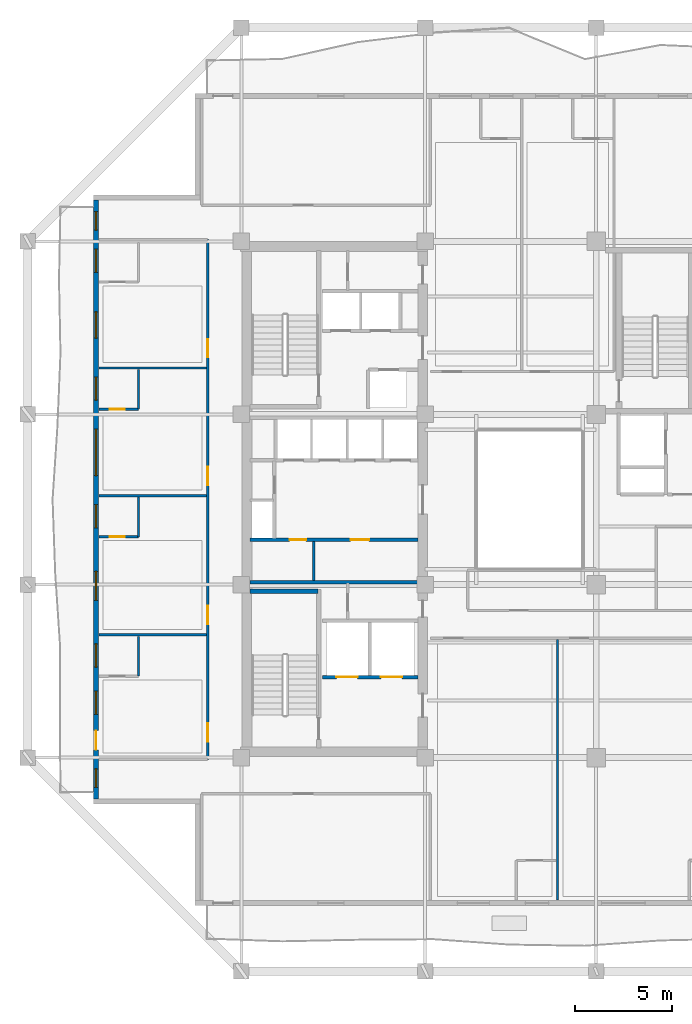
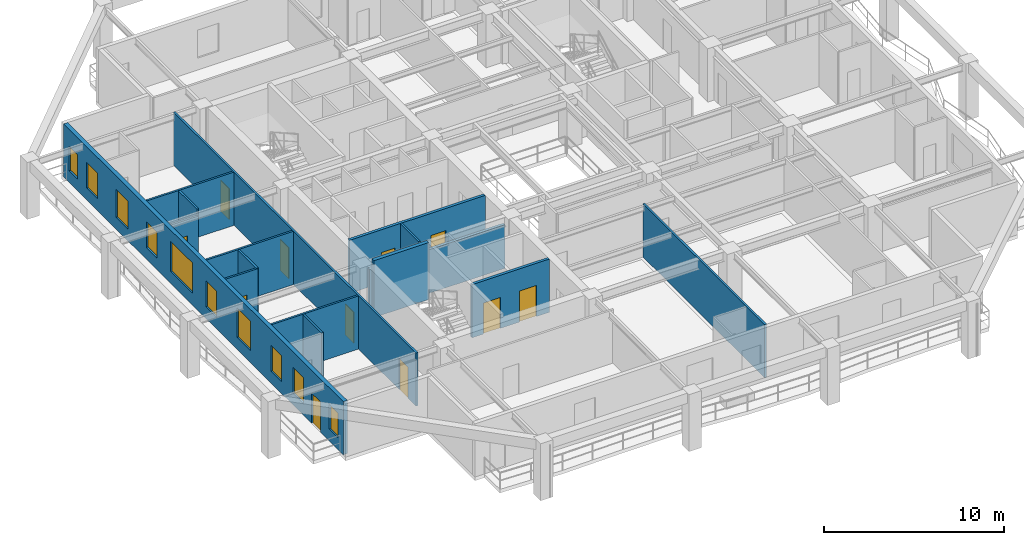
# One storey, part 3 of 13: 16 walls, 11 doors, 10 windows, 21 openings.
"""IFC4 building model written with IfcOpenShell, lengths in metres."""

from ifc_helpers import new_model, si_unit, direction, frame, frame_2d, origin, place, context, subcontext, project, spatial, rectangle, extrude, material, layer, layer_set, type_object, element, fill, save


model = new_model("IFC4")

# Units and contexts
model_context = context("Model", 3, precision=1e-05, world=origin(), true_north=direction((0.0, 1.0)))
body_context = subcontext(model_context, "Body", "Model", "MODEL_VIEW")
ifc_project = project(units=[si_unit("LENGTHUNIT", "METRE"), si_unit("AREAUNIT", "SQUARE_METRE"), si_unit("VOLUMEUNIT", "CUBIC_METRE"), si_unit("PLANEANGLEUNIT", "RADIAN"), si_unit("MASSUNIT", "GRAM", prefix="KILO")], contexts=[model_context])

# Site, building, storey
site_placement = place(None, origin())
site = spatial("IfcSite", under=ifc_project, at=site_placement, CompositionType="ELEMENT")
building_placement = place(site_placement, origin())
building = spatial("IfcBuilding", under=site, at=building_placement, Name="Kundavana Baori Tower", CompositionType="ELEMENT")
storey_placement = place(building_placement, frame((0.0, 0.0, 169.449951171875)))
storey = spatial("IfcBuildingStorey", under=building, at=storey_placement, Name="L41", CompositionType="ELEMENT", Elevation=169.449951171875)

# Wall
ifc_material_1 = material(Name="Concrete C50/60", Category="concrete")
ifc_layer_1 = layer(ifc_material_1, 0.39990234375, Name="WL-CORE-400")
ifc_layer_set_1 = layer_set([ifc_layer_1], Name="Concrete C50/60")
wall_type_1 = type_object("IfcWallType", Name="WL-CORE-400", PredefinedType="SHEAR", material=ifc_layer_set_1)
wall_1_placement = place(storey_placement, frame((15.89990234375, 23.860107421875, 0.0), z_axis=(0.0, 0.0, 1.0), x_axis=(1.0, 0.0, 0.0)))
element("IfcWall", 1, at=wall_1_placement, inside=storey, type_object=wall_type_1, Name="WL-L41-ST1-N", PredefinedType="SHEAR", context=body_context, shape_type="SweptSolid", body=[
    extrude(rectangle(XDim=3.52001953125, YDim=0.239990234375, at=frame_2d((1.760009765625, 0.0))), origin(), (0.0, 0.0, 1.0), 3.85009765625),
])

# Wall, openings, door, windows
ifc_material_2 = material(Name="Kiln-Fired Terracotta Brick-Slip Masonry on Concrete C40/50", Category="masonry")
ifc_layer_2 = layer(ifc_material_2, 0.260009765625, Name="WL-EXT-BRK-260")
ifc_layer_set_2 = layer_set([ifc_layer_2], Name="Kiln-Fired Terracotta Brick-Slip Masonry on Concrete C40/50")
wall_type_2 = type_object("IfcWallType", Name="WL-EXT-BRK-260", PredefinedType="SOLIDWALL", material=ifc_layer_set_2)
wall_2_placement = place(storey_placement, frame((7.929931640625, 44.090087890625, 0.0), z_axis=(0.0, 0.0, 1.0), x_axis=(0.0, -1.0, 0.0)))
wall_2 = element("IfcWall", 2, at=wall_2_placement, inside=storey, type_object=wall_type_2, Name="L41 Exterior Insulated Facade Wall 10", PredefinedType="SOLIDWALL", context=body_context, shape_type="SweptSolid", body=[
    extrude(rectangle(XDim=30.97998046875, YDim=0.260009765625, at=frame_2d((15.489990234375, 0.0))), origin(), (0.0, 0.0, 1.0), 3.60009765625),
])
opening_1_placement = place(wall_2_placement, frame((29.425048828125, 0.0, 0.800048828125)))
opening_1 = element("IfcOpeningElement", 3, at=opening_1_placement, cuts=wall_2, Name="Opening W-13", PredefinedType="OPENING", context=body_context, shape_type="SweptSolid", body=[
    extrude(rectangle(XDim=0.949951171875, YDim=1.64990234375, at=frame_2d((0.47509765625, 0.824951171875))), frame((0.0, 0.14013671875, 0.0), z_axis=(0.0, -1.0, 0.0), x_axis=(1.0, 0.0, 0.0)), (0.0, 0.0, 1.0), 0.280029296875),
])
opening_2_placement = place(wall_2_placement, frame((27.43994140625, 0.0, 0.0)))
opening_2 = element("IfcOpeningElement", 4, at=opening_2_placement, cuts=wall_2, Name="Opening BD-1", PredefinedType="OPENING", context=body_context, shape_type="SweptSolid", body=[
    extrude(rectangle(XDim=1.0, YDim=2.050048828125, at=frame_2d((0.5, 1.02490234375))), frame((0.0, 0.14013671875, 0.0), z_axis=(0.0, -1.0, 0.0), x_axis=(1.0, 0.0, 0.0)), (0.0, 0.0, 1.0), 0.280029296875),
])
opening_3_placement = place(wall_2_placement, frame((25.39990234375, 0.0, 0.800048828125)))
opening_3 = element("IfcOpeningElement", 5, at=opening_3_placement, cuts=wall_2, Name="Opening W-03", PredefinedType="OPENING", context=body_context, shape_type="SweptSolid", body=[
    extrude(rectangle(XDim=1.199951171875, YDim=1.75, at=frame_2d((0.60009765625, 0.875))), frame((0.0, 0.14013671875, 0.0), z_axis=(0.0, -1.0, 0.0), x_axis=(1.0, 0.0, 0.0)), (0.0, 0.0, 1.0), 0.280029296875),
])
opening_4_placement = place(wall_2_placement, frame((22.955078125, 0.0, 0.800048828125)))
opening_4 = element("IfcOpeningElement", 6, at=opening_4_placement, cuts=wall_2, Name="Opening W-03", PredefinedType="OPENING", context=body_context, shape_type="SweptSolid", body=[
    extrude(rectangle(XDim=1.199951171875, YDim=1.75, at=frame_2d((0.60009765625, 0.875))), frame((0.0, 0.14013671875, 0.0), z_axis=(0.0, -1.0, 0.0), x_axis=(1.0, 0.0, 0.0)), (0.0, 0.0, 1.0), 0.280029296875),
])
opening_5_placement = place(wall_2_placement, frame((19.205078125, 0.0, 0.800048828125)))
opening_5 = element("IfcOpeningElement", 7, at=opening_5_placement, cuts=wall_2, Name="Opening W-02", PredefinedType="OPENING", context=body_context, shape_type="SweptSolid", body=[
    extrude(rectangle(XDim=1.5, YDim=2.0, at=frame_2d((0.75, 1.0))), frame((0.0, 0.14013671875, 0.0), z_axis=(0.0, -1.0, 0.0), x_axis=(1.0, 0.0, 0.0)), (0.0, 0.0, 1.0), 0.280029296875),
])
opening_6_placement = place(wall_2_placement, frame((15.7548828125, 0.0, 0.800048828125)))
opening_6 = element("IfcOpeningElement", 8, at=opening_6_placement, cuts=wall_2, Name="Opening W-03", PredefinedType="OPENING", context=body_context, shape_type="SweptSolid", body=[
    extrude(rectangle(XDim=1.199951171875, YDim=1.75, at=frame_2d((0.60009765625, 0.875))), frame((0.0, 0.14013671875, 0.0), z_axis=(0.0, -1.0, 0.0), x_axis=(1.0, 0.0, 0.0)), (0.0, 0.0, 1.0), 0.280029296875),
])
opening_7_placement = place(wall_2_placement, frame((11.85498046875, 0.0, 0.800048828125)))
opening_7 = element("IfcOpeningElement", 9, at=opening_7_placement, cuts=wall_2, Name="Opening W-04", PredefinedType="OPENING", context=body_context, shape_type="SweptSolid", body=[
    extrude(rectangle(XDim=2.39990234375, YDim=2.050048828125, at=frame_2d((1.199951171875, 1.02490234375))), frame((0.0, 0.14013671875, 0.0), z_axis=(0.0, -1.0, 0.0), x_axis=(1.0, 0.0, 0.0)), (0.0, 0.0, 1.0), 0.280029296875),
])
opening_8_placement = place(wall_2_placement, frame((9.155029296875, 0.0, 0.800048828125)))
opening_8 = element("IfcOpeningElement", 10, at=opening_8_placement, cuts=wall_2, Name="Opening W-03", PredefinedType="OPENING", context=body_context, shape_type="SweptSolid", body=[
    extrude(rectangle(XDim=1.199951171875, YDim=1.75, at=frame_2d((0.60009765625, 0.875))), frame((0.0, 0.14013671875, 0.0), z_axis=(0.0, -1.0, 0.0), x_axis=(1.0, 0.0, 0.0)), (0.0, 0.0, 1.0), 0.280029296875),
])
opening_9_placement = place(wall_2_placement, frame((5.7900390625, 0.0, 0.800048828125)))
opening_9 = element("IfcOpeningElement", 11, at=opening_9_placement, cuts=wall_2, Name="Opening W-07", PredefinedType="OPENING", context=body_context, shape_type="SweptSolid", body=[
    extrude(rectangle(XDim=1.35009765625, YDim=1.89990234375, at=frame_2d((0.675048828125, 0.949951171875))), frame((0.0, 0.14013671875, 0.0), z_axis=(0.0, -1.0, 0.0), x_axis=(1.0, 0.0, 0.0)), (0.0, 0.0, 1.0), 0.280029296875),
])
opening_10_placement = place(wall_2_placement, frame((2.544921875, 0.0, 0.800048828125)))
opening_10 = element("IfcOpeningElement", 12, at=opening_10_placement, cuts=wall_2, Name="Opening W-03", PredefinedType="OPENING", context=body_context, shape_type="SweptSolid", body=[
    extrude(rectangle(XDim=1.199951171875, YDim=1.75, at=frame_2d((0.60009765625, 0.875))), frame((0.0, 0.14013671875, 0.0), z_axis=(0.0, -1.0, 0.0), x_axis=(1.0, 0.0, 0.0)), (0.0, 0.0, 1.0), 0.280029296875),
])
opening_11_placement = place(wall_2_placement, frame((0.60498046875, 0.0, 0.800048828125)))
opening_11 = element("IfcOpeningElement", 13, at=opening_11_placement, cuts=wall_2, Name="Opening W-13", PredefinedType="OPENING", context=body_context, shape_type="SweptSolid", body=[
    extrude(rectangle(XDim=0.949951171875, YDim=1.64990234375, at=frame_2d((0.47509765625, 0.824951171875))), frame((0.0, 0.14013671875, 0.0), z_axis=(0.0, -1.0, 0.0), x_axis=(1.0, 0.0, 0.0)), (0.0, 0.0, 1.0), 0.280029296875),
])
ifc_material_3 = material(Name="Architectural Patinated Bronze Metalwork")
door_type_1 = type_object("IfcDoorType", Name="DR-EXT-LOG-1000", OperationType="NOTDEFINED", PredefinedType="DOOR", material=ifc_material_3)
door_1_placement = place(opening_2_placement, frame((1.0, 0.0, 0.0), z_axis=(0.0, 0.0, 1.0), x_axis=(-1.0, 0.0, 0.0)))
door_1 = element("IfcDoor", 14, at=door_1_placement, inside=storey, type_object=door_type_1, Name="L41 Loggia Balcony Access Door W", OperationType="SINGLE_SWING_LEFT", OverallHeight=2.050048828125, OverallWidth=1.0, PredefinedType="DOOR", context=body_context, shape_type="SweptSolid", body=[
    extrude(rectangle(XDim=1.0, YDim=2.050048828125, at=frame_2d((0.5, 1.02490234375))), frame((0.0, 0.02490234375, 0.0), z_axis=(0.0, -1.0, 0.0), x_axis=(1.0, 0.0, 0.0)), (0.0, 0.0, 1.0), 0.050048828125),
])
fill(opening_2, door_1)
ifc_material_4 = material(Name="Double-Glazed Solar-Control Low-E Insulated Glass", Category="glass")
window_type_1 = type_object("IfcWindowType", Name="WIN-LOG-1200x1750", PartitioningType="SINGLE_PANEL", PredefinedType="WINDOW", material=ifc_material_4)
window_1_placement = place(opening_3_placement, origin())
window_1 = element("IfcWindow", 15, at=window_1_placement, inside=storey, type_object=window_type_1, Name="L41 Recessed Loggia Window W-2", OverallHeight=1.75, OverallWidth=1.199951171875, PartitioningType="SINGLE_PANEL", PredefinedType="WINDOW", context=body_context, shape_type="SweptSolid", body=[
    extrude(rectangle(XDim=1.199951171875, YDim=1.75, at=frame_2d((0.60009765625, 0.875))), frame((0.0, 0.030029296875, 0.0), z_axis=(0.0, -1.0, 0.0), x_axis=(1.0, 0.0, 0.0)), (0.0, 0.0, 1.0), 0.06005859375),
])
fill(opening_3, window_1)
window_2_placement = place(opening_4_placement, origin())
window_2 = element("IfcWindow", 16, at=window_2_placement, inside=storey, type_object=window_type_1, Name="L41 Recessed Loggia Window W-3", OverallHeight=1.75, OverallWidth=1.199951171875, PartitioningType="SINGLE_PANEL", PredefinedType="WINDOW", context=body_context, shape_type="SweptSolid", body=[
    extrude(rectangle(XDim=1.199951171875, YDim=1.75, at=frame_2d((0.60009765625, 0.875))), frame((0.0, 0.030029296875, 0.0), z_axis=(0.0, -1.0, 0.0), x_axis=(1.0, 0.0, 0.0)), (0.0, 0.0, 1.0), 0.06005859375),
])
fill(opening_4, window_2)
window_3_placement = place(opening_6_placement, origin())
window_3 = element("IfcWindow", 17, at=window_3_placement, inside=storey, type_object=window_type_1, Name="L41 Recessed Loggia Window W-5", OverallHeight=1.75, OverallWidth=1.199951171875, PartitioningType="SINGLE_PANEL", PredefinedType="WINDOW", context=body_context, shape_type="SweptSolid", body=[
    extrude(rectangle(XDim=1.199951171875, YDim=1.75, at=frame_2d((0.60009765625, 0.875))), frame((0.0, 0.030029296875, 0.0), z_axis=(0.0, -1.0, 0.0), x_axis=(1.0, 0.0, 0.0)), (0.0, 0.0, 1.0), 0.06005859375),
])
fill(opening_6, window_3)
window_4_placement = place(opening_8_placement, origin())
window_4 = element("IfcWindow", 18, at=window_4_placement, inside=storey, type_object=window_type_1, Name="L41 Recessed Loggia Window W-7", OverallHeight=1.75, OverallWidth=1.199951171875, PartitioningType="SINGLE_PANEL", PredefinedType="WINDOW", context=body_context, shape_type="SweptSolid", body=[
    extrude(rectangle(XDim=1.199951171875, YDim=1.75, at=frame_2d((0.60009765625, 0.875))), frame((0.0, 0.030029296875, 0.0), z_axis=(0.0, -1.0, 0.0), x_axis=(1.0, 0.0, 0.0)), (0.0, 0.0, 1.0), 0.06005859375),
])
fill(opening_8, window_4)
window_5_placement = place(opening_10_placement, origin())
window_5 = element("IfcWindow", 19, at=window_5_placement, inside=storey, type_object=window_type_1, Name="L41 Recessed Loggia Window W-9", OverallHeight=1.75, OverallWidth=1.199951171875, PartitioningType="SINGLE_PANEL", PredefinedType="WINDOW", context=body_context, shape_type="SweptSolid", body=[
    extrude(rectangle(XDim=1.199951171875, YDim=1.75, at=frame_2d((0.60009765625, 0.875))), frame((0.0, 0.030029296875, 0.0), z_axis=(0.0, -1.0, 0.0), x_axis=(1.0, 0.0, 0.0)), (0.0, 0.0, 1.0), 0.06005859375),
])
fill(opening_10, window_5)
ifc_material_5 = material(Name="Double-Glazed Solar-Control Low-E Insulated Glass", Category="glass")
window_type_2 = type_object("IfcWindowType", Name="WIN-LOG-1350x1900", PartitioningType="SINGLE_PANEL", PredefinedType="WINDOW", material=ifc_material_5)
window_6_placement = place(opening_9_placement, origin())
window_6 = element("IfcWindow", 20, at=window_6_placement, inside=storey, type_object=window_type_2, Name="L41 Recessed Loggia Window W-8", OverallHeight=1.89990234375, OverallWidth=1.35009765625, PartitioningType="SINGLE_PANEL", PredefinedType="WINDOW", context=body_context, shape_type="SweptSolid", body=[
    extrude(rectangle(XDim=1.35009765625, YDim=1.89990234375, at=frame_2d((0.675048828125, 0.949951171875))), frame((0.0, 0.030029296875, 0.0), z_axis=(0.0, -1.0, 0.0), x_axis=(1.0, 0.0, 0.0)), (0.0, 0.0, 1.0), 0.06005859375),
])
fill(opening_9, window_6)
ifc_material_6 = material(Name="Double-Glazed Solar-Control Low-E Insulated Glass", Category="glass")
window_type_3 = type_object("IfcWindowType", Name="WIN-LOG-1500x2000", PartitioningType="SINGLE_PANEL", PredefinedType="WINDOW", material=ifc_material_6)
window_7_placement = place(opening_5_placement, origin())
window_7 = element("IfcWindow", 21, at=window_7_placement, inside=storey, type_object=window_type_3, Name="L41 Recessed Loggia Window W-4", OverallHeight=2.0, OverallWidth=1.5, PartitioningType="SINGLE_PANEL", PredefinedType="WINDOW", context=body_context, shape_type="SweptSolid", body=[
    extrude(rectangle(XDim=1.5, YDim=2.0, at=frame_2d((0.75, 1.0))), frame((0.0, 0.030029296875, 0.0), z_axis=(0.0, -1.0, 0.0), x_axis=(1.0, 0.0, 0.0)), (0.0, 0.0, 1.0), 0.06005859375),
])
fill(opening_5, window_7)
ifc_material_7 = material(Name="Double-Glazed Solar-Control Low-E Insulated Glass", Category="glass")
window_type_4 = type_object("IfcWindowType", Name="WIN-LOG-2400x2050", PartitioningType="SINGLE_PANEL", PredefinedType="WINDOW", material=ifc_material_7)
window_8_placement = place(opening_7_placement, origin())
window_8 = element("IfcWindow", 22, at=window_8_placement, inside=storey, type_object=window_type_4, Name="L41 Recessed Loggia Window W-6", OverallHeight=2.050048828125, OverallWidth=2.39990234375, PartitioningType="SINGLE_PANEL", PredefinedType="WINDOW", context=body_context, shape_type="SweptSolid", body=[
    extrude(rectangle(XDim=2.39990234375, YDim=2.050048828125, at=frame_2d((1.199951171875, 1.02490234375))), frame((0.0, 0.030029296875, 0.0), z_axis=(0.0, -1.0, 0.0), x_axis=(1.0, 0.0, 0.0)), (0.0, 0.0, 1.0), 0.06005859375),
])
fill(opening_7, window_8)
ifc_material_8 = material(Name="Double-Glazed Solar-Control Low-E Insulated Glass", Category="glass")
window_type_5 = type_object("IfcWindowType", Name="WIN-LOG-950x1650", PartitioningType="SINGLE_PANEL", PredefinedType="WINDOW", material=ifc_material_8)
window_9_placement = place(opening_1_placement, origin())
window_9 = element("IfcWindow", 23, at=window_9_placement, inside=storey, type_object=window_type_5, Name="L41 Recessed Loggia Window W-1", OverallHeight=1.64990234375, OverallWidth=0.949951171875, PartitioningType="SINGLE_PANEL", PredefinedType="WINDOW", context=body_context, shape_type="SweptSolid", body=[
    extrude(rectangle(XDim=0.949951171875, YDim=1.64990234375, at=frame_2d((0.47509765625, 0.824951171875))), frame((0.0, 0.030029296875, 0.0), z_axis=(0.0, -1.0, 0.0), x_axis=(1.0, 0.0, 0.0)), (0.0, 0.0, 1.0), 0.06005859375),
])
fill(opening_1, window_9)
window_10_placement = place(opening_11_placement, origin())
window_10 = element("IfcWindow", 24, at=window_10_placement, inside=storey, type_object=window_type_5, Name="L41 Recessed Loggia Window W-10", OverallHeight=1.64990234375, OverallWidth=0.949951171875, PartitioningType="SINGLE_PANEL", PredefinedType="WINDOW", context=body_context, shape_type="SweptSolid", body=[
    extrude(rectangle(XDim=0.949951171875, YDim=1.64990234375, at=frame_2d((0.47509765625, 0.824951171875))), frame((0.0, 0.030029296875, 0.0), z_axis=(0.0, -1.0, 0.0), x_axis=(1.0, 0.0, 0.0)), (0.0, 0.0, 1.0), 0.06005859375),
])
fill(opening_11, window_10)

# Wall
ifc_material_9 = material(Name="Acoustic Gypsum Plasterboard on Galvanised Steel Studs", Category="steel")
ifc_layer_3 = layer(ifc_material_9, 0.1201171875, Name="WL-PART-120")
ifc_layer_set_3 = layer_set([ifc_layer_3], Name="Acoustic Gypsum Plasterboard on Galvanised Steel Studs")
wall_type_3 = type_object("IfcWallType", Name="WL-PART-120", PredefinedType="PARTITIONING", material=ifc_layer_set_3)
wall_3_placement = place(storey_placement, frame((19.199951171875, 24.419921875, 0.0), z_axis=(0.0, 0.0, 1.0), x_axis=(0.0, 1.0, 0.0)))
element("IfcWall", 25, at=wall_3_placement, inside=storey, type_object=wall_type_3, Name="WL-L41-FRLOW-DIV", PredefinedType="PARTITIONING", context=body_context, shape_type="SweptSolid", body=[
    extrude(rectangle(XDim=2.02001953125, YDim=0.1201171875, at=frame_2d((1.010009765625, 0.0))), origin(), (0.0, 0.0, 1.0), 3.60009765625),
])

# Wall, openings, doors
ifc_material_10 = material(Name="Autoclaved Aerated Concrete Blockwork Masonry", Category="masonry")
ifc_layer_4 = layer(ifc_material_10, 0.179931640625, Name="WL-SHAFT-180")
ifc_layer_set_4 = layer_set([ifc_layer_4], Name="Autoclaved Aerated Concrete Blockwork Masonry")
wall_type_4 = type_object("IfcWallType", Name="WL-SHAFT-180", PredefinedType="SOLIDWALL", material=ifc_layer_set_4)
wall_4_placement = place(storey_placement, frame((19.639892578125, 19.419921875, 0.0), z_axis=(0.0, 0.0, 1.0), x_axis=(1.0, 0.0, 0.0)))
wall_4 = element("IfcWall", 26, at=wall_4_placement, inside=storey, type_object=wall_type_4, Name="WL-L41-FFL-S", PredefinedType="SOLIDWALL", context=body_context, shape_type="SweptSolid", body=[
    extrude(rectangle(XDim=4.940185546875, YDim=0.179931640625, at=frame_2d((2.47021484375, 0.0))), origin(), (0.0, 0.0, 1.0), 3.60009765625),
])
opening_12_placement = place(wall_4_placement, frame((0.719970703125, 0.0, 0.0)))
opening_12 = element("IfcOpeningElement", 27, at=opening_12_placement, cuts=wall_4, Name="Opening LD-110", PredefinedType="OPENING", context=body_context, shape_type="SweptSolid", body=[
    extrude(rectangle(XDim=1.10009765625, YDim=2.10009765625, at=frame_2d((0.550048828125, 1.050048828125))), frame((0.0, 0.10009765625, 0.0), z_axis=(0.0, -1.0, 0.0), x_axis=(1.0, 0.0, 0.0)), (0.0, 0.0, 1.0), 0.199951171875),
])
opening_13_placement = place(wall_4_placement, frame((3.02001953125, 0.0, 0.0)))
opening_13 = element("IfcOpeningElement", 28, at=opening_13_placement, cuts=wall_4, Name="Opening LD-110", PredefinedType="OPENING", context=body_context, shape_type="SweptSolid", body=[
    extrude(rectangle(XDim=1.10009765625, YDim=2.10009765625, at=frame_2d((0.550048828125, 1.050048828125))), frame((0.0, 0.10009765625, 0.0), z_axis=(0.0, -1.0, 0.0), x_axis=(1.0, 0.0, 0.0)), (0.0, 0.0, 1.0), 0.199951171875),
])
ifc_material_11 = material(Name="Galvanised Steel Fire-Rated Door Leaf", Category="steel")
door_type_2 = type_object("IfcDoorType", Name="DR-SLIDE-LD1100", OperationType="NOTDEFINED", PredefinedType="DOOR", material=ifc_material_11)
door_2_placement = place(opening_12_placement, origin())
door_2 = element("IfcDoor", 29, at=door_2_placement, inside=storey, type_object=door_type_2, Name="DR-L41-LD-FFL-1", OperationType="DOUBLE_DOOR_SLIDING", OverallHeight=2.10009765625, OverallWidth=1.10009765625, PredefinedType="DOOR", context=body_context, shape_type="SweptSolid", body=[
    extrude(rectangle(XDim=1.10009765625, YDim=2.10009765625, at=frame_2d((0.550048828125, 1.050048828125))), frame((0.0, 0.02490234375, 0.0), z_axis=(0.0, -1.0, 0.0), x_axis=(1.0, 0.0, 0.0)), (0.0, 0.0, 1.0), 0.050048828125),
])
fill(opening_12, door_2)
door_3_placement = place(opening_13_placement, origin())
door_3 = element("IfcDoor", 30, at=door_3_placement, inside=storey, type_object=door_type_2, Name="DR-L41-LD-FFL-2", OperationType="DOUBLE_DOOR_SLIDING", OverallHeight=2.10009765625, OverallWidth=1.10009765625, PredefinedType="DOOR", context=body_context, shape_type="SweptSolid", body=[
    extrude(rectangle(XDim=1.10009765625, YDim=2.10009765625, at=frame_2d((0.550048828125, 1.050048828125))), frame((0.0, 0.02490234375, 0.0), z_axis=(0.0, -1.0, 0.0), x_axis=(1.0, 0.0, 0.0)), (0.0, 0.0, 1.0), 0.050048828125),
])
fill(opening_13, door_3)

wall_5_placement = place(storey_placement, frame((15.89990234375, 26.52001953125, 0.0), z_axis=(0.0, 0.0, 1.0), x_axis=(1.0, 0.0, 0.0)))
wall_5 = element("IfcWall", 31, at=wall_5_placement, inside=storey, type_object=wall_type_4, Name="WL-L41-LPLOW-N", PredefinedType="SOLIDWALL", context=body_context, shape_type="SweptSolid", body=[
    extrude(rectangle(XDim=8.68017578125, YDim=0.179931640625, at=frame_2d((4.340087890625, 0.0))), origin(), (0.0, 0.0, 1.0), 3.60009765625),
])
opening_14_placement = place(wall_5_placement, frame((2.050048828125, 0.0, 0.0)))
opening_14 = element("IfcOpeningElement", 32, at=opening_14_placement, cuts=wall_5, Name="Opening FD-085", PredefinedType="OPENING", context=body_context, shape_type="SweptSolid", body=[
    extrude(rectangle(XDim=0.85009765625, YDim=2.06005859375, at=frame_2d((0.425048828125, 1.030029296875))), frame((0.0, 0.10009765625, 0.0), z_axis=(0.0, -1.0, 0.0), x_axis=(1.0, 0.0, 0.0)), (0.0, 0.0, 1.0), 0.199951171875),
])
opening_15_placement = place(wall_5_placement, frame((5.199951171875, 0.0, 0.0)))
opening_15 = element("IfcOpeningElement", 33, at=opening_15_placement, cuts=wall_5, Name="Opening FD-095", PredefinedType="OPENING", context=body_context, shape_type="SweptSolid", body=[
    extrude(rectangle(XDim=0.949951171875, YDim=2.10009765625, at=frame_2d((0.47509765625, 1.050048828125))), frame((0.0, 0.10009765625, 0.0), z_axis=(0.0, -1.0, 0.0), x_axis=(1.0, 0.0, 0.0)), (0.0, 0.0, 1.0), 0.199951171875),
])
ifc_material_12 = material(Name="Galvanised Steel Fire-Rated Door Leaf", Category="steel")
door_type_3 = type_object("IfcDoorType", Name="DR-FD60-850", OperationType="NOTDEFINED", PredefinedType="DOOR", material=ifc_material_12)
door_4_placement = place(opening_14_placement, origin())
door_4 = element("IfcDoor", 34, at=door_4_placement, inside=storey, type_object=door_type_3, Name="DR-L41-FRLOW1", OperationType="SINGLE_SWING_LEFT", OverallHeight=2.06005859375, OverallWidth=0.85009765625, PredefinedType="DOOR", context=body_context, shape_type="SweptSolid", body=[
    extrude(rectangle(XDim=0.85009765625, YDim=2.06005859375, at=frame_2d((0.425048828125, 1.030029296875))), frame((0.0, 0.02490234375, 0.0), z_axis=(0.0, -1.0, 0.0), x_axis=(1.0, 0.0, 0.0)), (0.0, 0.0, 1.0), 0.050048828125),
])
fill(opening_14, door_4)
ifc_material_13 = material(Name="Engineered Teak Fire-Rated Timber Door Leaf", Category="wood")
door_type_4 = type_object("IfcDoorType", Name="DR-FD60-950", OperationType="NOTDEFINED", PredefinedType="DOOR", material=ifc_material_13)
door_5_placement = place(opening_15_placement, origin())
door_5 = element("IfcDoor", 35, at=door_5_placement, inside=storey, type_object=door_type_4, Name="DR-L41-FRLOW2", OperationType="SINGLE_SWING_RIGHT", OverallHeight=2.10009765625, OverallWidth=0.949951171875, PredefinedType="DOOR", context=body_context, shape_type="SweptSolid", body=[
    extrude(rectangle(XDim=0.949951171875, YDim=2.10009765625, at=frame_2d((0.47509765625, 1.050048828125))), frame((0.0, 0.02490234375, 0.0), z_axis=(0.0, -1.0, 0.0), x_axis=(1.0, 0.0, 0.0)), (0.0, 0.0, 1.0), 0.050048828125),
])
fill(opening_15, door_5)

# Wall
wall_6_placement = place(storey_placement, frame((15.89990234375, 24.330078125, 0.0), z_axis=(0.0, 0.0, 1.0), x_axis=(1.0, 0.0, 0.0)))
element("IfcWall", 36, at=wall_6_placement, inside=storey, type_object=wall_type_4, Name="WL-L41-LPLOW-S", PredefinedType="SOLIDWALL", context=body_context, shape_type="SweptSolid", body=[
    extrude(rectangle(XDim=8.68017578125, YDim=0.179931640625, at=frame_2d((4.340087890625, 0.0))), origin(), (0.0, 0.0, 1.0), 2.949951171875),
])

# Wall, openings, doors
ifc_material_14 = material(Name="Autoclaved Aerated Concrete Blockwork Masonry", Category="masonry")
ifc_layer_5 = layer(ifc_material_14, 0.125, Name="WL-WET-120")
ifc_layer_set_5 = layer_set([ifc_layer_5], Name="Autoclaved Aerated Concrete Blockwork Masonry")
wall_type_5 = type_object("IfcWallType", Name="WL-WET-120", PredefinedType="PLUMBINGWALL", material=ifc_layer_set_5)
wall_7_placement = place(storey_placement, frame((13.699951171875, 15.159912109375, 0.0), z_axis=(0.0, 0.0, 1.0), x_axis=(0.0, 1.0, 0.0)))
wall_7 = element("IfcWall", 37, at=wall_7_placement, inside=storey, type_object=wall_type_5, Name="WL-L41-HW", PredefinedType="PLUMBINGWALL", context=body_context, shape_type="SweptSolid", body=[
    extrude(rectangle(XDim=26.880126953125, YDim=0.125, at=frame_2d((13.43994140625, 0.0))), origin(), (0.0, 0.0, 1.0), 3.60009765625),
])
opening_16_placement = place(wall_7_placement, frame((0.909912109375, 0.0, 0.0)))
opening_16 = element("IfcOpeningElement", 38, at=opening_16_placement, cuts=wall_7, Name="Opening FD-095", PredefinedType="OPENING", context=body_context, shape_type="SweptSolid", body=[
    extrude(rectangle(XDim=0.949951171875, YDim=2.10009765625, at=frame_2d((0.47509765625, 1.050048828125))), frame((0.0, 0.072509765625, 0.0), z_axis=(0.0, -1.0, 0.0), x_axis=(1.0, 0.0, 0.0)), (0.0, 0.0, 1.0), 0.14501953125),
])
opening_17_placement = place(wall_7_placement, frame((6.989990234375, 0.0, 0.0)))
opening_17 = element("IfcOpeningElement", 39, at=opening_17_placement, cuts=wall_7, Name="Opening FD-095", PredefinedType="OPENING", context=body_context, shape_type="SweptSolid", body=[
    extrude(rectangle(XDim=0.949951171875, YDim=2.10009765625, at=frame_2d((0.47509765625, 1.050048828125))), frame((0.0, 0.072509765625, 0.0), z_axis=(0.0, -1.0, 0.0), x_axis=(1.0, 0.0, 0.0)), (0.0, 0.0, 1.0), 0.14501953125),
])
opening_18_placement = place(wall_7_placement, frame((14.18994140625, 0.0, 0.0)))
opening_18 = element("IfcOpeningElement", 40, at=opening_18_placement, cuts=wall_7, Name="Opening FD-095", PredefinedType="OPENING", context=body_context, shape_type="SweptSolid", body=[
    extrude(rectangle(XDim=0.949951171875, YDim=2.10009765625, at=frame_2d((0.47509765625, 1.050048828125))), frame((0.0, 0.072509765625, 0.0), z_axis=(0.0, -1.0, 0.0), x_axis=(1.0, 0.0, 0.0)), (0.0, 0.0, 1.0), 0.14501953125),
])
opening_19_placement = place(wall_7_placement, frame((20.7900390625, 0.0, 0.0)))
opening_19 = element("IfcOpeningElement", 41, at=opening_19_placement, cuts=wall_7, Name="Opening FD-095", PredefinedType="OPENING", context=body_context, shape_type="SweptSolid", body=[
    extrude(rectangle(XDim=0.949951171875, YDim=2.10009765625, at=frame_2d((0.47509765625, 1.050048828125))), frame((0.0, 0.072509765625, 0.0), z_axis=(0.0, -1.0, 0.0), x_axis=(1.0, 0.0, 0.0)), (0.0, 0.0, 1.0), 0.14501953125),
])
door_6_placement = place(opening_16_placement, origin())
door_6 = element("IfcDoor", 42, at=door_6_placement, inside=storey, type_object=door_type_4, Name="DR-L41-HK-W1-ENT", OperationType="SINGLE_SWING_LEFT", OverallHeight=2.10009765625, OverallWidth=0.949951171875, PredefinedType="DOOR", context=body_context, shape_type="SweptSolid", body=[
    extrude(rectangle(XDim=0.949951171875, YDim=2.10009765625, at=frame_2d((0.47509765625, 1.050048828125))), frame((0.0, 0.02490234375, 0.0), z_axis=(0.0, -1.0, 0.0), x_axis=(1.0, 0.0, 0.0)), (0.0, 0.0, 1.0), 0.050048828125),
])
fill(opening_16, door_6)
door_7_placement = place(opening_17_placement, origin())
door_7 = element("IfcDoor", 43, at=door_7_placement, inside=storey, type_object=door_type_4, Name="DR-L41-HK-W2-ENT", OperationType="SINGLE_SWING_LEFT", OverallHeight=2.10009765625, OverallWidth=0.949951171875, PredefinedType="DOOR", context=body_context, shape_type="SweptSolid", body=[
    extrude(rectangle(XDim=0.949951171875, YDim=2.10009765625, at=frame_2d((0.47509765625, 1.050048828125))), frame((0.0, 0.02490234375, 0.0), z_axis=(0.0, -1.0, 0.0), x_axis=(1.0, 0.0, 0.0)), (0.0, 0.0, 1.0), 0.050048828125),
])
fill(opening_17, door_7)
door_8_placement = place(opening_18_placement, origin())
door_8 = element("IfcDoor", 44, at=door_8_placement, inside=storey, type_object=door_type_4, Name="DR-L41-HK-W3-ENT", OperationType="SINGLE_SWING_LEFT", OverallHeight=2.10009765625, OverallWidth=0.949951171875, PredefinedType="DOOR", context=body_context, shape_type="SweptSolid", body=[
    extrude(rectangle(XDim=0.949951171875, YDim=2.10009765625, at=frame_2d((0.47509765625, 1.050048828125))), frame((0.0, 0.02490234375, 0.0), z_axis=(0.0, -1.0, 0.0), x_axis=(1.0, 0.0, 0.0)), (0.0, 0.0, 1.0), 0.050048828125),
])
fill(opening_18, door_8)
door_9_placement = place(opening_19_placement, origin())
door_9 = element("IfcDoor", 45, at=door_9_placement, inside=storey, type_object=door_type_4, Name="DR-L41-HK-W4-ENT", OperationType="SINGLE_SWING_LEFT", OverallHeight=2.10009765625, OverallWidth=0.949951171875, PredefinedType="DOOR", context=body_context, shape_type="SweptSolid", body=[
    extrude(rectangle(XDim=0.949951171875, YDim=2.10009765625, at=frame_2d((0.47509765625, 1.050048828125))), frame((0.0, 0.02490234375, 0.0), z_axis=(0.0, -1.0, 0.0), x_axis=(1.0, 0.0, 0.0)), (0.0, 0.0, 1.0), 0.050048828125),
])
fill(opening_19, door_9)

# Walls
wall_8_placement = place(storey_placement, frame((10.1298828125, 19.469970703125, 0.0), z_axis=(0.0, 0.0, 1.0), x_axis=(0.0, 1.0, 0.0)))
element("IfcWall", 46, at=wall_8_placement, inside=storey, type_object=wall_type_5, Name="WL-L41-HK-W1-BE", PredefinedType="PLUMBINGWALL", context=body_context, shape_type="SweptSolid", body=[
    extrude(rectangle(XDim=2.050048828125, YDim=0.125, at=frame_2d((1.02490234375, 0.0))), origin(), (0.0, 0.0, 1.0), 3.60009765625),
])
wall_9_placement = place(storey_placement, frame((8.080078125, 21.60009765625, 0.0), z_axis=(0.0, 0.0, 1.0), x_axis=(1.0, 0.0, 0.0)))
element("IfcWall", 47, at=wall_9_placement, inside=storey, type_object=wall_type_5, Name="WL-L41-HWD1", PredefinedType="PLUMBINGWALL", context=body_context, shape_type="SweptSolid", body=[
    extrude(rectangle(XDim=5.559814453125, YDim=0.125, at=frame_2d((2.77978515625, 0.0))), origin(), (0.0, 0.0, 1.0), 3.60009765625),
])
wall_10_placement = place(storey_placement, frame((10.1298828125, 26.669921875, 0.0), z_axis=(0.0, 0.0, 1.0), x_axis=(0.0, 1.0, 0.0)))
element("IfcWall", 48, at=wall_10_placement, inside=storey, type_object=wall_type_5, Name="WL-L41-HK-W2-BE", PredefinedType="PLUMBINGWALL", context=body_context, shape_type="SweptSolid", body=[
    extrude(rectangle(XDim=2.050048828125, YDim=0.125, at=frame_2d((1.02490234375, 0.0))), origin(), (0.0, 0.0, 1.0), 3.60009765625),
])

# Wall, opening, door
wall_11_placement = place(storey_placement, frame((8.080078125, 26.669921875, 0.0), z_axis=(0.0, 0.0, 1.0), x_axis=(1.0, 0.0, 0.0)))
wall_11 = element("IfcWall", 49, at=wall_11_placement, inside=storey, type_object=wall_type_5, Name="WL-L41-HK-W2-BS", PredefinedType="PLUMBINGWALL", context=body_context, shape_type="SweptSolid", body=[
    extrude(rectangle(XDim=2.0498046875, YDim=0.125, at=frame_2d((1.02490234375, 0.0))), origin(), (0.0, 0.0, 1.0), 3.60009765625),
])
opening_20_placement = place(wall_11_placement, frame((0.550048828125, 0.0, 0.0)))
opening_20 = element("IfcOpeningElement", 50, at=opening_20_placement, cuts=wall_11, Name="Opening WD-080", PredefinedType="OPENING", context=body_context, shape_type="SweptSolid", body=[
    extrude(rectangle(XDim=0.800048828125, YDim=2.050048828125, at=frame_2d((0.39990234375, 1.02490234375))), frame((0.0, 0.072509765625, 0.0), z_axis=(0.0, -1.0, 0.0), x_axis=(1.0, 0.0, 0.0)), (0.0, 0.0, 1.0), 0.14501953125),
])
ifc_material_15 = material(Name="Engineered Teak Solid-Core Timber Veneer", Category="wood")
door_type_5 = type_object("IfcDoorType", Name="DR-WET-800", OperationType="NOTDEFINED", PredefinedType="DOOR", material=ifc_material_15)
door_10_placement = place(opening_20_placement, frame((0.800048828125, 0.0, 0.0), z_axis=(0.0, 0.0, 1.0), x_axis=(-1.0, 0.0, 0.0)))
door_10 = element("IfcDoor", 51, at=door_10_placement, inside=storey, type_object=door_type_5, Name="DR-L41-HK-W2-ENS", OperationType="SINGLE_SWING_LEFT", OverallHeight=2.050048828125, OverallWidth=0.800048828125, PredefinedType="DOOR", context=body_context, shape_type="SweptSolid", body=[
    extrude(rectangle(XDim=0.800048828125, YDim=2.050048828125, at=frame_2d((0.39990234375, 1.02490234375))), frame((0.0, 0.02490234375, 0.0), z_axis=(0.0, -1.0, 0.0), x_axis=(1.0, 0.0, 0.0)), (0.0, 0.0, 1.0), 0.050048828125),
])
fill(opening_20, door_10)

# Walls
wall_12_placement = place(storey_placement, frame((8.080078125, 28.800048828125, 0.0), z_axis=(0.0, 0.0, 1.0), x_axis=(1.0, 0.0, 0.0)))
element("IfcWall", 52, at=wall_12_placement, inside=storey, type_object=wall_type_5, Name="WL-L41-HWD2", PredefinedType="PLUMBINGWALL", context=body_context, shape_type="SweptSolid", body=[
    extrude(rectangle(XDim=5.559814453125, YDim=0.125, at=frame_2d((2.77978515625, 0.0))), origin(), (0.0, 0.0, 1.0), 3.60009765625),
])
wall_13_placement = place(storey_placement, frame((10.1298828125, 33.27001953125, 0.0), z_axis=(0.0, 0.0, 1.0), x_axis=(0.0, 1.0, 0.0)))
element("IfcWall", 53, at=wall_13_placement, inside=storey, type_object=wall_type_5, Name="WL-L41-HK-W3-BE", PredefinedType="PLUMBINGWALL", context=body_context, shape_type="SweptSolid", body=[
    extrude(rectangle(XDim=2.050048828125, YDim=0.125, at=frame_2d((1.02490234375, 0.0))), origin(), (0.0, 0.0, 1.0), 3.60009765625),
])

# Wall, opening, door
wall_14_placement = place(storey_placement, frame((8.080078125, 33.27001953125, 0.0), z_axis=(0.0, 0.0, 1.0), x_axis=(1.0, 0.0, 0.0)))
wall_14 = element("IfcWall", 54, at=wall_14_placement, inside=storey, type_object=wall_type_5, Name="WL-L41-HK-W3-BS", PredefinedType="PLUMBINGWALL", context=body_context, shape_type="SweptSolid", body=[
    extrude(rectangle(XDim=2.0498046875, YDim=0.125, at=frame_2d((1.02490234375, 0.0))), origin(), (0.0, 0.0, 1.0), 3.150146484375),
])
opening_21_placement = place(wall_14_placement, frame((0.550048828125, 0.0, 0.0)))
opening_21 = element("IfcOpeningElement", 55, at=opening_21_placement, cuts=wall_14, Name="Opening WD-080", PredefinedType="OPENING", context=body_context, shape_type="SweptSolid", body=[
    extrude(rectangle(XDim=0.800048828125, YDim=2.050048828125, at=frame_2d((0.39990234375, 1.02490234375))), frame((0.0, 0.072509765625, 0.0), z_axis=(0.0, -1.0, 0.0), x_axis=(1.0, 0.0, 0.0)), (0.0, 0.0, 1.0), 0.14501953125),
])
door_11_placement = place(opening_21_placement, frame((0.800048828125, 0.0, 0.0), z_axis=(0.0, 0.0, 1.0), x_axis=(-1.0, 0.0, 0.0)))
door_11 = element("IfcDoor", 56, at=door_11_placement, inside=storey, type_object=door_type_5, Name="DR-L41-HK-W3-ENS", OperationType="SINGLE_SWING_LEFT", OverallHeight=2.050048828125, OverallWidth=0.800048828125, PredefinedType="DOOR", context=body_context, shape_type="SweptSolid", body=[
    extrude(rectangle(XDim=0.800048828125, YDim=2.050048828125, at=frame_2d((0.39990234375, 1.02490234375))), frame((0.0, 0.02490234375, 0.0), z_axis=(0.0, -1.0, 0.0), x_axis=(1.0, 0.0, 0.0)), (0.0, 0.0, 1.0), 0.050048828125),
])
fill(opening_21, door_11)

# Walls
wall_15_placement = place(storey_placement, frame((8.080078125, 35.39990234375, 0.0), z_axis=(0.0, 0.0, 1.0), x_axis=(1.0, 0.0, 0.0)))
element("IfcWall", 57, at=wall_15_placement, inside=storey, type_object=wall_type_5, Name="WL-L41-HWD3", PredefinedType="PLUMBINGWALL", context=body_context, shape_type="SweptSolid", body=[
    extrude(rectangle(XDim=5.559814453125, YDim=0.125, at=frame_2d((2.77978515625, 0.0))), origin(), (0.0, 0.0, 1.0), 3.60009765625),
])
wall_16_placement = place(storey_placement, frame((31.800048828125, 7.8798828125, 0.0), z_axis=(0.0, 0.0, 1.0), x_axis=(0.0, 1.0, 0.0)))
element("IfcWall", 58, at=wall_16_placement, inside=storey, type_object=wall_type_5, Name="WL-L41-HSD1", PredefinedType="PLUMBINGWALL", context=body_context, shape_type="SweptSolid", body=[
    extrude(rectangle(XDim=13.480224609375, YDim=0.125, at=frame_2d((6.740234375, 0.0))), origin(), (0.0, 0.0, 1.0), 3.60009765625),
])

save(model, "model.ifc")
